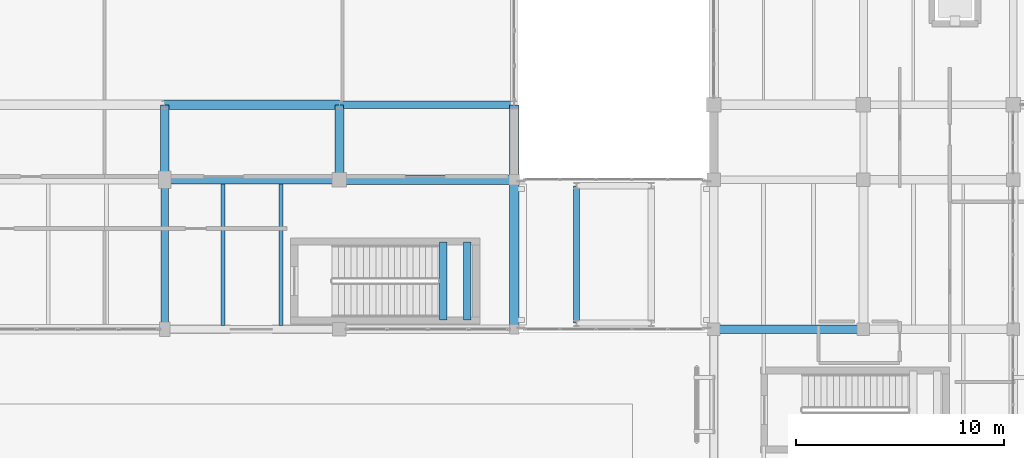
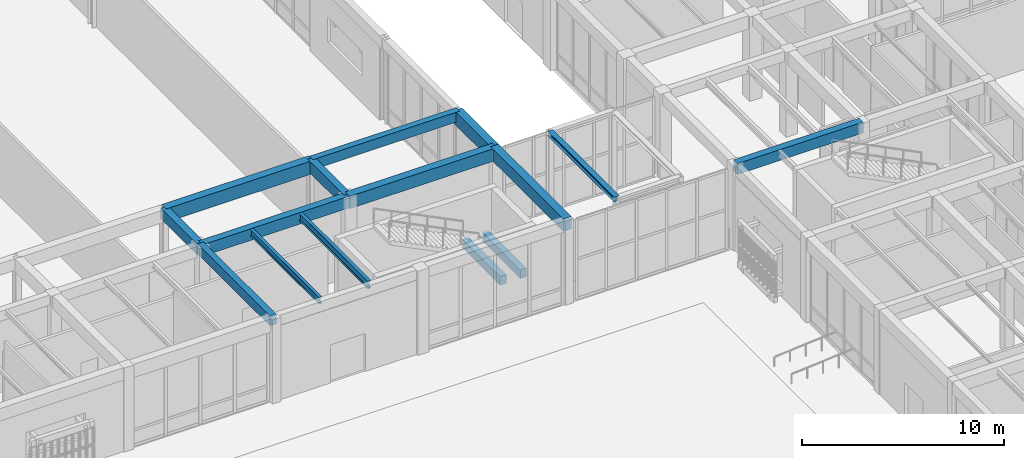
# One storey, part 77 of 169: 15 beams.
"""IFC4 building model written with IfcOpenShell, lengths in metres."""

from ifc_helpers import new_model, si_unit, direction, frame, origin, origin_2d, place, context, subcontext, project, spatial, rectangle, i_section, extrude, material, material_profile, profile_set, type_object, element, save


model = new_model("IFC4")

# Units and contexts
model_context = context("Model", 3, precision=1e-05, world=origin(), true_north=direction((0.0, 1.0)))
body_context = subcontext(model_context, "Body", "Model", "MODEL_VIEW")
ifc_project = project(units=[si_unit("LENGTHUNIT", "METRE"), si_unit("AREAUNIT", "SQUARE_METRE"), si_unit("VOLUMEUNIT", "CUBIC_METRE"), si_unit("PLANEANGLEUNIT", "RADIAN"), si_unit("MASSUNIT", "GRAM", prefix="KILO")], contexts=[model_context])

# Site, building, storey
site_placement = place(None, origin())
site = spatial("IfcSite", under=ifc_project, at=site_placement, CompositionType="ELEMENT")
building_placement = place(site_placement, origin())
building = spatial("IfcBuilding", under=site, at=building_placement, Name="Mazaris Harbour Polytechnic", CompositionType="ELEMENT")
storey_placement = place(building_placement, origin())
storey = spatial("IfcBuildingStorey", under=building, at=storey_placement, Name="L00", CompositionType="ELEMENT", Elevation=0.0)

# Beams
ifc_material_1 = material(Name="Concrete C35/45", Category="concrete")
ifc_material_profile_1 = material_profile(ifc_material_1, rectangle(XDim=0.35009765625, YDim=0.60009765625, at=origin_2d()), Name="RECT350x600")
ifc_profile_set_1 = profile_set([ifc_material_profile_1], Name="Concrete C35/45")
beam_type_1 = type_object("IfcBeamType", Name="RC Girder 350x600", PredefinedType="BEAM", material=ifc_profile_set_1)
beam_1_placement = place(storey_placement, frame((104.39990234375, 86.39990234375, 4.780029296875), z_axis=(1.0, 0.0, 0.0), x_axis=(0.0, 1.0, 0.0)))
element("IfcBeam", 1, at=beam_1_placement, inside=storey, type_object=beam_type_1, Name="V1 L00 Girder 195", PredefinedType="BEAM", context=body_context, shape_type="SweptSolid", body=[
    extrude(rectangle(XDim=0.35009765625, YDim=0.60009765625, at=origin_2d()), origin(), (0.0, 0.0, 1.0), 8.400146484375),
])
beam_2_placement = place(storey_placement, frame((96.0, 75.60009765625, 4.780029296875), z_axis=(0.0, 1.0, 0.0), x_axis=(-1.0, 0.0, 0.0)))
element("IfcBeam", 2, at=beam_2_placement, inside=storey, type_object=beam_type_1, Name="V1 L00 Tie Girder 215", PredefinedType="BEAM", context=body_context, shape_type="SweptSolid", body=[
    extrude(rectangle(XDim=0.35009765625, YDim=0.60009765625, at=origin_2d()), origin(), (0.0, 0.0, 1.0), 7.199951171875),
])
ifc_material_2 = material(Name="Concrete C35/45", Category="concrete")
ifc_material_profile_2 = material_profile(ifc_material_2, rectangle(XDim=0.39990234375, YDim=0.64990234375, at=origin_2d()), Name="RECT400x650")
ifc_profile_set_2 = profile_set([ifc_material_profile_2], Name="Concrete C35/45")
beam_type_2 = type_object("IfcBeamType", Name="RC Girder 400x650", PredefinedType="BEAM", material=ifc_profile_set_2)
beam_3_placement = place(storey_placement, frame((96.0, 82.800048828125, 4.7548828125), z_axis=(0.0, 1.0, 0.0), x_axis=(-1.0, 0.0, 0.0)))
element("IfcBeam", 3, at=beam_3_placement, inside=storey, type_object=beam_type_2, Name="V1 L00 Tie Girder 216", PredefinedType="BEAM", context=body_context, shape_type="SweptSolid", body=[
    extrude(rectangle(XDim=0.39990234375, YDim=0.64990234375, at=origin_2d()), origin(), (0.0, 0.0, 1.0), 3.599853515625),
])
beam_4_placement = place(storey_placement, frame((122.39990234375, 75.60009765625, 4.77490234375), z_axis=(1.0, 0.0, 0.0), x_axis=(0.0, 1.0, 0.0)))
element("IfcBeam", 4, at=beam_4_placement, inside=storey, type_object=beam_type_2, Name="V5 L00 Girder 2721", PredefinedType="BEAM", context=body_context, shape_type="SweptSolid", body=[
    extrude(rectangle(XDim=0.39990234375, YDim=0.64990234375, at=origin_2d()), origin(), (0.0, 0.0, 1.0), 7.2001953125),
])
ifc_material_3 = material(Name="Concrete C35/45", Category="concrete")
ifc_material_profile_3 = material_profile(ifc_material_3, rectangle(XDim=0.39990234375, YDim=0.699951171875, at=origin_2d()), Name="RECT400x700")
ifc_profile_set_3 = profile_set([ifc_material_profile_3], Name="Concrete C35/45")
beam_type_3 = type_object("IfcBeamType", Name="RC Girder 400x700", PredefinedType="BEAM", material=ifc_profile_set_3)
beam_5_placement = place(storey_placement, frame((96.0, 82.800048828125, 4.72998046875), z_axis=(1.0, 0.0, 0.0), x_axis=(0.0, 1.0, 0.0)))
element("IfcBeam", 5, at=beam_5_placement, inside=storey, type_object=beam_type_3, Name="V1 L00 Girder 187", PredefinedType="BEAM", context=body_context, shape_type="SweptSolid", body=[
    extrude(rectangle(XDim=0.39990234375, YDim=0.699951171875, at=origin_2d()), origin(), (0.0, 0.0, 1.0), 8.39990234375),
])
beam_6_placement = place(storey_placement, frame((104.39990234375, 82.800048828125, 4.72998046875), z_axis=(0.0, 1.0, 0.0), x_axis=(-1.0, 0.0, 0.0)))
element("IfcBeam", 6, at=beam_6_placement, inside=storey, type_object=beam_type_3, Name="V1 L00 Tie Girder 217", PredefinedType="BEAM", context=body_context, shape_type="SweptSolid", body=[
    extrude(rectangle(XDim=0.39990234375, YDim=0.699951171875, at=origin_2d()), origin(), (0.0, 0.0, 1.0), 3.599853515625),
])
ifc_material_4 = material(Name="Concrete C40/50", Category="concrete")
ifc_material_profile_4 = material_profile(ifc_material_4, rectangle(XDim=0.449951171875, YDim=0.75, at=origin_2d()), Name="RECT450x750")
ifc_profile_set_4 = profile_set([ifc_material_profile_4], Name="Concrete C40/50")
beam_type_4 = type_object("IfcBeamType", Name="RC Girder 450x750", PredefinedType="BEAM", material=ifc_profile_set_4)
beam_7_placement = place(storey_placement, frame((104.39990234375, 82.800048828125, 4.705078125), z_axis=(1.0, 0.0, 0.0), x_axis=(0.0, 1.0, 0.0)))
element("IfcBeam", 7, at=beam_7_placement, inside=storey, type_object=beam_type_4, Name="V1 L00 Girder 188", PredefinedType="BEAM", context=body_context, shape_type="SweptSolid", body=[
    extrude(rectangle(XDim=0.449951171875, YDim=0.75, at=origin_2d()), origin(), (0.0, 0.0, 1.0), 8.400146484375),
])
ifc_material_5 = material(Name="Concrete C40/50", Category="concrete")
ifc_material_profile_5 = material_profile(ifc_material_5, rectangle(XDim=0.449951171875, YDim=0.75, at=origin_2d()), Name="RECT450x750")
ifc_profile_set_5 = profile_set([ifc_material_profile_5], Name="Concrete C40/50")
beam_type_5 = type_object("IfcBeamType", Name="RC Girder 450x750 Exterior", PredefinedType="BEAM", material=ifc_profile_set_5)
beam_8_placement = place(storey_placement, frame((112.800048828125, 75.60009765625, 4.705078125), z_axis=(0.0, 1.0, 0.0), x_axis=(-1.0, 0.0, 0.0)))
element("IfcBeam", 8, at=beam_8_placement, inside=storey, type_object=beam_type_5, Name="V1 L00 Tie Girder 218", PredefinedType="BEAM", context=body_context, shape_type="SweptSolid", body=[
    extrude(rectangle(XDim=0.449951171875, YDim=0.75, at=origin_2d()), origin(), (0.0, 0.0, 1.0), 7.199951171875),
])
ifc_material_6 = material(Name="Concrete C40/50", Category="concrete")
ifc_material_profile_6 = material_profile(ifc_material_6, rectangle(XDim=0.449951171875, YDim=0.800048828125, at=origin_2d()), Name="RECT450x800")
ifc_profile_set_6 = profile_set([ifc_material_profile_6], Name="Concrete C40/50")
beam_type_6 = type_object("IfcBeamType", Name="RC Girder 450x800", PredefinedType="BEAM", material=ifc_profile_set_6)
beam_9_placement = place(storey_placement, frame((96.0, 86.39990234375, 4.679931640625), z_axis=(1.0, 0.0, 0.0), x_axis=(0.0, 1.0, 0.0)))
element("IfcBeam", 9, at=beam_9_placement, inside=storey, type_object=beam_type_6, Name="V1 L00 Girder 194", PredefinedType="BEAM", context=body_context, shape_type="SweptSolid", body=[
    extrude(rectangle(XDim=0.449951171875, YDim=0.800048828125, at=origin_2d()), origin(), (0.0, 0.0, 1.0), 8.39990234375),
])
ifc_material_7 = material(Name="Concrete C40/50", Category="concrete")
ifc_material_profile_7 = material_profile(ifc_material_7, rectangle(XDim=0.449951171875, YDim=0.800048828125, at=origin_2d()), Name="RECT450x800")
ifc_profile_set_7 = profile_set([ifc_material_profile_7], Name="Concrete C40/50")
beam_type_7 = type_object("IfcBeamType", Name="RC Girder 450x800 Exterior", PredefinedType="BEAM", material=ifc_profile_set_7)
beam_10_placement = place(storey_placement, frame((112.800048828125, 82.800048828125, 4.679931640625), z_axis=(0.0, 1.0, 0.0), x_axis=(-1.0, 0.0, 0.0)))
element("IfcBeam", 10, at=beam_10_placement, inside=storey, type_object=beam_type_7, Name="V1 L00 Tie Girder 219", PredefinedType="BEAM", context=body_context, shape_type="SweptSolid", body=[
    extrude(rectangle(XDim=0.449951171875, YDim=0.800048828125, at=origin_2d()), origin(), (0.0, 0.0, 1.0), 3.599853515625),
])
ifc_material_8 = material(Name="Concrete C40/50", Category="concrete")
ifc_material_profile_8 = material_profile(ifc_material_8, rectangle(XDim=0.35009765625, YDim=0.52001953125, at=origin_2d()), Name="RECT350x520")
ifc_profile_set_8 = profile_set([ifc_material_profile_8], Name="Concrete C40/50")
beam_type_8 = type_object("IfcBeamType", Name="RC Landing Bearer 350x520", PredefinedType="BEAM", material=ifc_profile_set_8)
for number, where, z_axis, x_axis, name in (
    (11, (109.39990234375, 76.050048828125, 2.239990234375), (0.0, 1.0, 0.0), (-1.0, 0.0, 0.0), "Core ST02 L00 Landing Bearer"),
    (12, (110.550048828125, 76.050048828125, 2.239990234375), (0.0, 1.0, 0.0), (-1.0, 0.0, 0.0), "Core ST02 L00 Landing Bearer"),
):
    element("IfcBeam", number, at=place(storey_placement, frame(where, z_axis=z_axis, x_axis=x_axis)), inside=storey, type_object=beam_type_8, Name=name, PredefinedType="BEAM", context=body_context, shape_type="SweptSolid", body=[
        extrude(rectangle(XDim=0.35009765625, YDim=0.52001953125, at=origin_2d()), origin(), (0.0, 0.0, 1.0), 3.75),
    ])
ifc_material_9 = material(Name="Steel S355", Category="steel")
ifc_material_profile_9 = material_profile(ifc_material_9, i_section(OverallWidth=0.300048828125, OverallDepth=0.2900390625, WebThickness=0.008544921875, FlangeThickness=0.013916015625, FilletRadius=0.027099609375, at=origin_2d()), Name="HEA 300")
ifc_profile_set_9 = profile_set([ifc_material_profile_9], Name="Steel S355")
beam_type_9 = type_object("IfcBeamType", Name="Steel Beam HEA300 Exterior", PredefinedType="SPANDREL", material=ifc_profile_set_9)
beam_11_placement = place(storey_placement, frame((115.800048828125, 75.89990234375, 4.989990234375), z_axis=(0.0, 1.0, 0.0), x_axis=(-1.0, 0.0, 0.0)))
element("IfcBeam", 13, at=beam_11_placement, inside=storey, type_object=beam_type_9, Name="PB-E2 L00 Bridge Beam 3460", PredefinedType="SPANDREL", context=body_context, shape_type="SweptSolid", body=[
    extrude(i_section(OverallWidth=0.300048828125, OverallDepth=0.2900390625, WebThickness=0.008544921875, FlangeThickness=0.013916015625, FilletRadius=0.027099609375, at=origin_2d()), origin(), (0.0, 0.0, 1.0), 6.60009765625),
])
ifc_material_10 = material(Name="Steel S355", Category="steel")
ifc_material_profile_10 = material_profile(ifc_material_10, i_section(OverallWidth=0.179931640625, OverallDepth=0.39990234375, WebThickness=0.008544921875, FlangeThickness=0.013427734375, FilletRadius=0.02099609375, at=origin_2d()), Name="IPE 400")
ifc_profile_set_10 = profile_set([ifc_material_profile_10], Name="Steel S355")
beam_type_10 = type_object("IfcBeamType", Name="Steel Joist IPE400", PredefinedType="JOIST", material=ifc_profile_set_10)
beam_12_placement = place(storey_placement, frame((98.800048828125, 75.77490234375, 4.8798828125), z_axis=(0.0, 1.0, 0.0), x_axis=(-1.0, 0.0, 0.0)))
element("IfcBeam", 14, at=beam_12_placement, inside=storey, type_object=beam_type_10, Name="V1 L00 Floor Joist 229", PredefinedType="JOIST", context=body_context, shape_type="SweptSolid", body=[
    extrude(i_section(OverallWidth=0.179931640625, OverallDepth=0.39990234375, WebThickness=0.008544921875, FlangeThickness=0.013427734375, FilletRadius=0.02099609375, at=origin_2d()), origin(), (0.0, 0.0, 1.0), 6.8251953125),
])
ifc_material_11 = material(Name="Steel S355", Category="steel")
ifc_material_profile_11 = material_profile(ifc_material_11, i_section(OverallWidth=0.18994140625, OverallDepth=0.449951171875, WebThickness=0.009521484375, FlangeThickness=0.0146484375, FilletRadius=0.02099609375, at=origin_2d()), Name="IPE 450")
ifc_profile_set_11 = profile_set([ifc_material_profile_11], Name="Steel S355")
beam_type_11 = type_object("IfcBeamType", Name="Steel Joist IPE450", PredefinedType="JOIST", material=ifc_profile_set_11)
beam_13_placement = place(storey_placement, frame((101.60009765625, 75.77490234375, 4.85498046875), z_axis=(0.0, 1.0, 0.0), x_axis=(-1.0, 0.0, 0.0)))
element("IfcBeam", 15, at=beam_13_placement, inside=storey, type_object=beam_type_11, Name="V1 L00 Floor Joist 230", PredefinedType="JOIST", context=body_context, shape_type="SweptSolid", body=[
    extrude(i_section(OverallWidth=0.18994140625, OverallDepth=0.449951171875, WebThickness=0.009521484375, FlangeThickness=0.0146484375, FilletRadius=0.02099609375, at=origin_2d()), origin(), (0.0, 0.0, 1.0), 6.8251953125),
])

save(model, "model.ifc")
